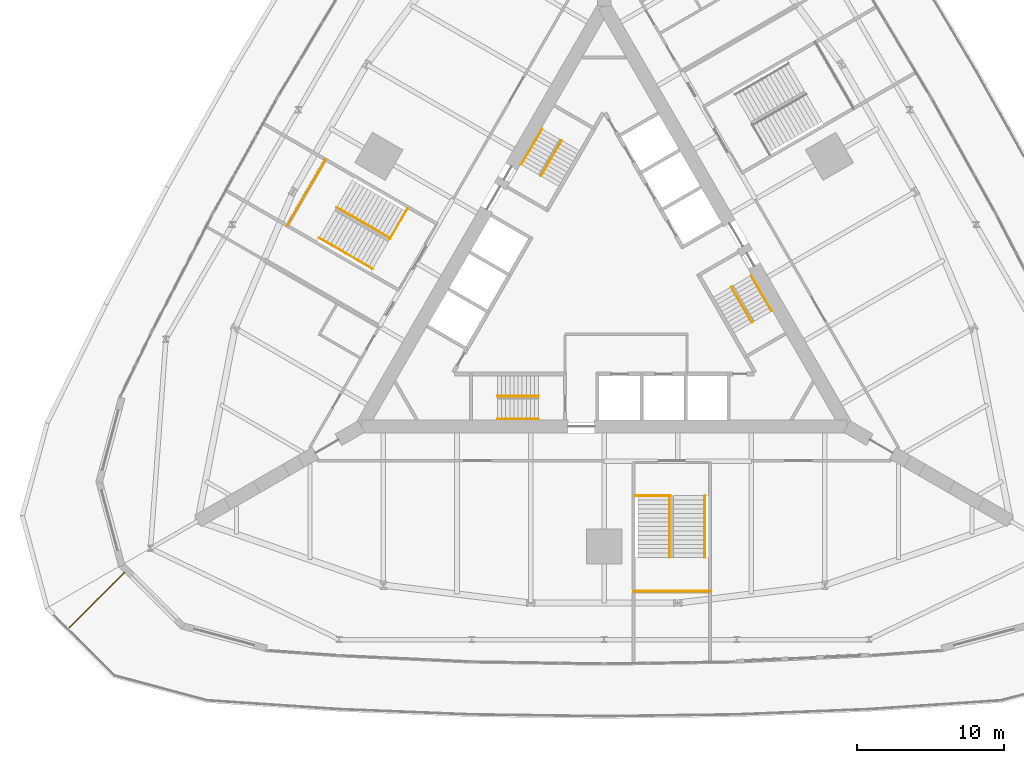
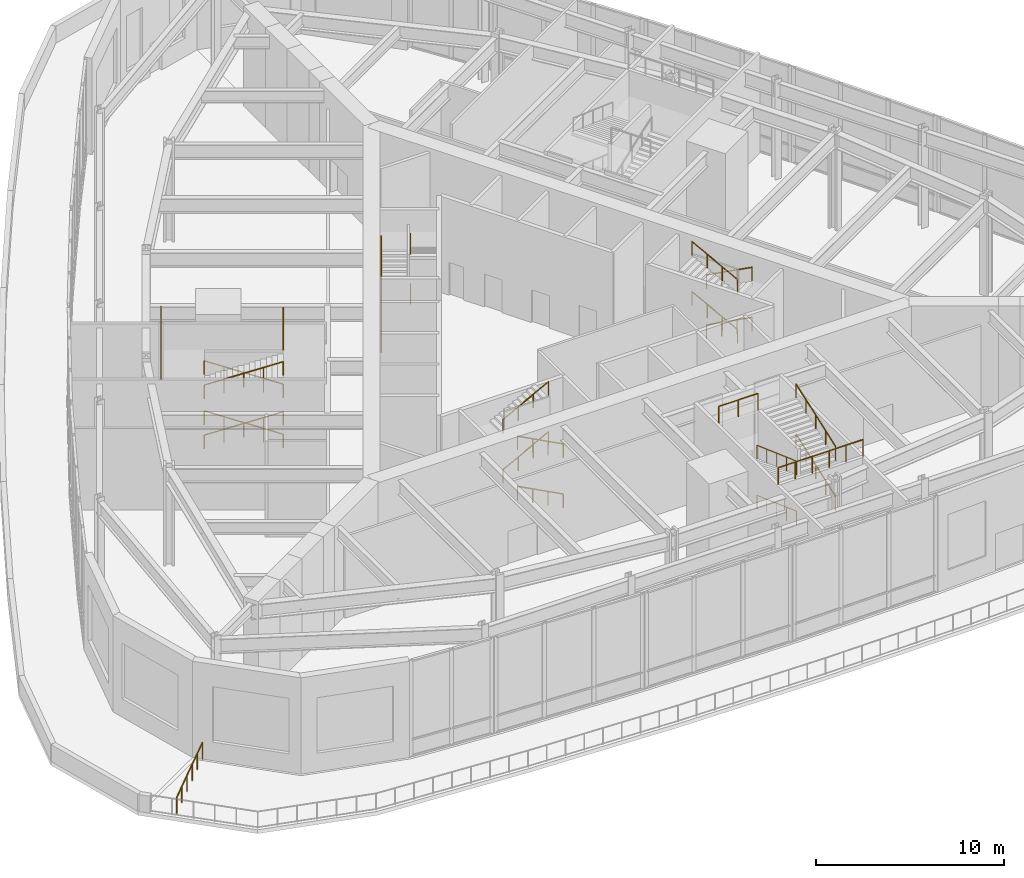
# One storey, part 17 of 19: 25 railings.
"""IFC4 building model written with IfcOpenShell, lengths in metres."""

from ifc_helpers import new_model, si_unit, direction, frame, origin, origin_2d, place, context, subcontext, project, spatial, circle, extrude, material, type_object, element, save


model = new_model("IFC4")

# Units and contexts
model_context = context("Model", 3, precision=1e-05, world=origin(), true_north=direction((0.0, 1.0)))
body_context = subcontext(model_context, "Body", "Model", "MODEL_VIEW")
ifc_project = project(units=[si_unit("LENGTHUNIT", "METRE"), si_unit("AREAUNIT", "SQUARE_METRE"), si_unit("VOLUMEUNIT", "CUBIC_METRE"), si_unit("PLANEANGLEUNIT", "RADIAN"), si_unit("MASSUNIT", "GRAM", prefix="KILO")], contexts=[model_context])

# Site, building, storey
site_placement = place(None, origin())
site = spatial("IfcSite", under=ifc_project, at=site_placement, CompositionType="ELEMENT")
building_placement = place(site_placement, origin())
building = spatial("IfcBuilding", under=site, at=building_placement, Name="Trikona Tower", CompositionType="ELEMENT")
storey_placement = place(building_placement, frame((0.0, 0.0, 11.0)))
storey = spatial("IfcBuildingStorey", under=building, at=storey_placement, Name="L02", CompositionType="ELEMENT", Elevation=11.0)

# Railings
ifc_material_1 = material(Name="Galvanised steel fence with welded mesh infill", Category="steel")
railing_type_1 = type_object("IfcRailingType", Name="Green roof fence 1100", PredefinedType="GUARDRAIL", material=ifc_material_1)
railing_1_placement = place(storey_placement, frame((-36.34521484375, -23.169921875, 0.0)))
element("IfcRailing", 1, at=railing_1_placement, inside=storey, type_object=railing_type_1, Name="Green roof fence L02-1a", PredefinedType="GUARDRAIL", context=body_context, shape_type="SweptSolid", body=[
    extrude(circle(Radius=0.02392578125, at=origin_2d()), frame((0.0, 0.0, 1.076171875), z_axis=(0.707106781187, 0.707106781187, 0.0), x_axis=(-0.707106781187, 0.707106781187, 0.0)), (0.0, 0.0, 1.0), 5.276611328125),
    extrude(circle(Radius=0.02099609375, at=origin_2d()), origin(), (0.0, 0.0, 1.0), 1.052001953125),
    extrude(circle(Radius=0.02099609375, at=origin_2d()), frame((0.746337890625, 0.746337890625, 0.0)), (0.0, 0.0, 1.0), 1.052001953125),
    extrude(circle(Radius=0.02099609375, at=origin_2d()), frame((1.492431640625, 1.492431640625, 0.0)), (0.0, 0.0, 1.0), 1.052001953125),
    extrude(circle(Radius=0.02099609375, at=origin_2d()), frame((2.23876953125, 2.23876953125, 0.0)), (0.0, 0.0, 1.0), 1.052001953125),
    extrude(circle(Radius=0.02099609375, at=origin_2d()), frame((2.98486328125, 2.98486328125, 0.0)), (0.0, 0.0, 1.0), 1.052001953125),
    extrude(circle(Radius=0.02099609375, at=origin_2d()), frame((3.731201171875, 3.731201171875, 0.0)), (0.0, 0.0, 1.0), 1.052001953125),
])
ifc_material_2 = material(Name="Stainless steel handrail", Category="steel")
railing_type_2 = type_object("IfcRailingType", Name="Stair handrail", PredefinedType="HANDRAIL", material=ifc_material_2)
railing_2_placement = place(storey_placement, frame((-4.449951171875, -9.016357421875, 0.147705078125)))
element("IfcRailing", 2, at=railing_2_placement, inside=storey, type_object=railing_type_2, Name="Stair handrail A L02 1", PredefinedType="HANDRAIL", context=body_context, shape_type="SweptSolid", body=[
    extrude(circle(Radius=0.02392578125, at=origin_2d()), frame((0.0, 0.0, 0.8759765625), z_axis=(-0.884451063323, 0.0, 0.466632957029), x_axis=(0.0, -1.0, 0.0)), (0.0, 0.0, 1.0), 3.165771484375),
    extrude(circle(Radius=0.02099609375, at=origin_2d()), origin(), (0.0, 0.0, 1.0), 0.851806640625),
    extrude(circle(Radius=0.02099609375, at=origin_2d()), frame((-0.933349609375, 0.0, 0.492431640625)), (0.0, 0.0, 1.0), 0.851806640625),
    extrude(circle(Radius=0.02099609375, at=origin_2d()), frame((-1.86669921875, 0.0, 0.98486328125)), (0.0, 0.0, 1.0), 0.851806640625),
    extrude(circle(Radius=0.02099609375, at=origin_2d()), frame((-2.800048828125, 0.0, 1.477294921875)), (0.0, 0.0, 1.0), 0.851806640625),
])
railing_3_placement = place(storey_placement, frame((-7.25, -7.46630859375, 1.772705078125)))
element("IfcRailing", 3, at=railing_3_placement, inside=storey, type_object=railing_type_2, Name="Stair handrail A L02 2", PredefinedType="HANDRAIL", context=body_context, shape_type="SweptSolid", body=[
    extrude(circle(Radius=0.02392578125, at=origin_2d()), frame((0.0, 0.0, 0.8759765625), z_axis=(0.884451063323, 0.0, 0.466632957029), x_axis=(0.0, 1.0, 0.0)), (0.0, 0.0, 1.0), 3.165771484375),
    extrude(circle(Radius=0.02099609375, at=origin_2d()), origin(), (0.0, 0.0, 1.0), 0.851806640625),
    extrude(circle(Radius=0.02099609375, at=origin_2d()), frame((0.933349609375, 0.0, 0.492431640625)), (0.0, 0.0, 1.0), 0.851806640625),
    extrude(circle(Radius=0.02099609375, at=origin_2d()), frame((1.86669921875, 0.0, 0.98486328125)), (0.0, 0.0, 1.0), 0.851806640625),
    extrude(circle(Radius=0.02099609375, at=origin_2d()), frame((2.800048828125, 0.0, 1.477294921875)), (0.0, 0.0, 1.0), 0.851806640625),
])
railing_4_placement = place(storey_placement, frame((-4.449951171875, -9.016357421875, 3.397705078125)))
element("IfcRailing", 4, at=railing_4_placement, inside=storey, type_object=railing_type_2, Name="Stair handrail A L02 3", PredefinedType="HANDRAIL", context=body_context, shape_type="SweptSolid", body=[
    extrude(circle(Radius=0.02392578125, at=origin_2d()), frame((0.0, 0.0, 0.8759765625), z_axis=(-0.884451063323, 0.0, 0.466632957029), x_axis=(0.0, -1.0, 0.0)), (0.0, 0.0, 1.0), 3.165771484375),
    extrude(circle(Radius=0.02099609375, at=origin_2d()), origin(), (0.0, 0.0, 1.0), 0.851806640625),
    extrude(circle(Radius=0.02099609375, at=origin_2d()), frame((-0.933349609375, 0.0, 0.492431640625)), (0.0, 0.0, 1.0), 0.851806640625),
    extrude(circle(Radius=0.02099609375, at=origin_2d()), frame((-1.86669921875, 0.0, 0.98486328125)), (0.0, 0.0, 1.0), 0.851806640625),
    extrude(circle(Radius=0.02099609375, at=origin_2d()), frame((-2.800048828125, 0.0, 1.477294921875)), (0.0, 0.0, 1.0), 0.851806640625),
])
railing_5_placement = place(storey_placement, frame((-7.25, -7.46630859375, 5.022705078125)))
element("IfcRailing", 5, at=railing_5_placement, inside=storey, type_object=railing_type_2, Name="Stair handrail A L02 4", PredefinedType="HANDRAIL", context=body_context, shape_type="SweptSolid", body=[
    extrude(circle(Radius=0.02392578125, at=origin_2d()), frame((0.0, 0.0, 0.8759765625), z_axis=(0.884451063323, 0.0, 0.466632957029), x_axis=(0.0, 1.0, 0.0)), (0.0, 0.0, 1.0), 3.165771484375),
    extrude(circle(Radius=0.02099609375, at=origin_2d()), origin(), (0.0, 0.0, 1.0), 0.851806640625),
    extrude(circle(Radius=0.02099609375, at=origin_2d()), frame((0.933349609375, 0.0, 0.492431640625)), (0.0, 0.0, 1.0), 0.851806640625),
    extrude(circle(Radius=0.02099609375, at=origin_2d()), frame((1.86669921875, 0.0, 0.98486328125)), (0.0, 0.0, 1.0), 0.851806640625),
    extrude(circle(Radius=0.02099609375, at=origin_2d()), frame((2.800048828125, 0.0, 1.477294921875)), (0.0, 0.0, 1.0), 0.851806640625),
])
railing_6_placement = place(storey_placement, frame((9.9833984375, 0.740966796875, 0.147705078125)))
element("IfcRailing", 6, at=railing_6_placement, inside=storey, type_object=railing_type_2, Name="Stair handrail B L02 1", PredefinedType="HANDRAIL", context=body_context, shape_type="SweptSolid", body=[
    extrude(circle(Radius=0.02392578125, at=origin_2d()), frame((0.0, 0.0, 0.8759765625), z_axis=(0.442180025884, -0.765987826492, 0.466625625501), x_axis=(0.866056369097, 0.49994636267, 0.0)), (0.0, 0.0, 1.0), 3.166015625),
    extrude(circle(Radius=0.02099609375, at=origin_2d()), origin(), (0.0, 0.0, 1.0), 0.851806640625),
    extrude(circle(Radius=0.02099609375, at=origin_2d()), frame((0.466552734375, -0.808349609375, 0.492431640625)), (0.0, 0.0, 1.0), 0.851806640625),
    extrude(circle(Radius=0.02099609375, at=origin_2d()), frame((0.933349609375, -1.61669921875, 0.98486328125)), (0.0, 0.0, 1.0), 0.851806640625),
    extrude(circle(Radius=0.02099609375, at=origin_2d()), frame((1.39990234375, -2.425048828125, 1.477294921875)), (0.0, 0.0, 1.0), 0.851806640625),
])
railing_7_placement = place(storey_placement, frame((10.041015625, -2.458984375, 1.772705078125)))
element("IfcRailing", 7, at=railing_7_placement, inside=storey, type_object=railing_type_2, Name="Stair handrail B L02 2", PredefinedType="HANDRAIL", context=body_context, shape_type="SweptSolid", body=[
    extrude(circle(Radius=0.02392578125, at=origin_2d()), frame((0.0, 0.0, 0.8759765625), z_axis=(-0.442180025884, 0.765987826492, 0.466625625501), x_axis=(-0.866056369097, -0.49994636267, 0.0)), (0.0, 0.0, 1.0), 3.166015625),
    extrude(circle(Radius=0.02099609375, at=origin_2d()), origin(), (0.0, 0.0, 1.0), 0.851806640625),
    extrude(circle(Radius=0.02099609375, at=origin_2d()), frame((-0.466552734375, 0.808349609375, 0.492431640625)), (0.0, 0.0, 1.0), 0.851806640625),
    extrude(circle(Radius=0.02099609375, at=origin_2d()), frame((-0.933349609375, 1.61669921875, 0.98486328125)), (0.0, 0.0, 1.0), 0.851806640625),
    extrude(circle(Radius=0.02099609375, at=origin_2d()), frame((-1.39990234375, 2.425048828125, 1.477294921875)), (0.0, 0.0, 1.0), 0.851806640625),
])
railing_8_placement = place(storey_placement, frame((9.9833984375, 0.740966796875, 3.397705078125)))
element("IfcRailing", 8, at=railing_8_placement, inside=storey, type_object=railing_type_2, Name="Stair handrail B L02 3", PredefinedType="HANDRAIL", context=body_context, shape_type="SweptSolid", body=[
    extrude(circle(Radius=0.02392578125, at=origin_2d()), frame((0.0, 0.0, 0.8759765625), z_axis=(0.442180025884, -0.765987826492, 0.466625625501), x_axis=(0.866056369097, 0.49994636267, 0.0)), (0.0, 0.0, 1.0), 3.166015625),
    extrude(circle(Radius=0.02099609375, at=origin_2d()), origin(), (0.0, 0.0, 1.0), 0.851806640625),
    extrude(circle(Radius=0.02099609375, at=origin_2d()), frame((0.466552734375, -0.808349609375, 0.492431640625)), (0.0, 0.0, 1.0), 0.851806640625),
    extrude(circle(Radius=0.02099609375, at=origin_2d()), frame((0.933349609375, -1.61669921875, 0.98486328125)), (0.0, 0.0, 1.0), 0.851806640625),
    extrude(circle(Radius=0.02099609375, at=origin_2d()), frame((1.39990234375, -2.425048828125, 1.477294921875)), (0.0, 0.0, 1.0), 0.851806640625),
])
railing_9_placement = place(storey_placement, frame((10.041015625, -2.458984375, 5.022705078125)))
element("IfcRailing", 9, at=railing_9_placement, inside=storey, type_object=railing_type_2, Name="Stair handrail B L02 4", PredefinedType="HANDRAIL", context=body_context, shape_type="SweptSolid", body=[
    extrude(circle(Radius=0.02392578125, at=origin_2d()), frame((0.0, 0.0, 0.8759765625), z_axis=(-0.442180025884, 0.765987826492, 0.466625625501), x_axis=(-0.866056369097, -0.49994636267, 0.0)), (0.0, 0.0, 1.0), 3.166015625),
    extrude(circle(Radius=0.02099609375, at=origin_2d()), origin(), (0.0, 0.0, 1.0), 0.851806640625),
    extrude(circle(Radius=0.02099609375, at=origin_2d()), frame((-0.466552734375, 0.808349609375, 0.492431640625)), (0.0, 0.0, 1.0), 0.851806640625),
    extrude(circle(Radius=0.02099609375, at=origin_2d()), frame((-0.933349609375, 1.61669921875, 0.98486328125)), (0.0, 0.0, 1.0), 0.851806640625),
    extrude(circle(Radius=0.02099609375, at=origin_2d()), frame((-1.39990234375, 2.425048828125, 1.477294921875)), (0.0, 0.0, 1.0), 0.851806640625),
])
railing_10_placement = place(storey_placement, frame((-5.63330078125, 8.275390625, 0.147705078125)))
element("IfcRailing", 10, at=railing_10_placement, inside=storey, type_object=railing_type_2, Name="Stair handrail C L02 1", PredefinedType="HANDRAIL", context=body_context, shape_type="SweptSolid", body=[
    extrude(circle(Radius=0.02392578125, at=origin_2d()), frame((0.0, 0.0, 0.8759765625), z_axis=(0.442206146237, 0.765955954731, 0.466653189899), x_axis=(-0.866034573852, 0.49998411664, 0.0)), (0.0, 0.0, 1.0), 3.165771484375),
    extrude(circle(Radius=0.02099609375, at=origin_2d()), origin(), (0.0, 0.0, 1.0), 0.851806640625),
    extrude(circle(Radius=0.02099609375, at=origin_2d()), frame((0.466552734375, 0.808349609375, 0.492431640625)), (0.0, 0.0, 1.0), 0.851806640625),
    extrude(circle(Radius=0.02099609375, at=origin_2d()), frame((0.933349609375, 1.616455078125, 0.98486328125)), (0.0, 0.0, 1.0), 0.851806640625),
    extrude(circle(Radius=0.02099609375, at=origin_2d()), frame((1.39990234375, 2.4248046875, 1.477294921875)), (0.0, 0.0, 1.0), 0.851806640625),
])
railing_11_placement = place(storey_placement, frame((-2.89111328125, 9.92529296875, 1.772705078125)))
element("IfcRailing", 11, at=railing_11_placement, inside=storey, type_object=railing_type_2, Name="Stair handrail C L02 2", PredefinedType="HANDRAIL", context=body_context, shape_type="SweptSolid", body=[
    extrude(circle(Radius=0.02392578125, at=origin_2d()), frame((0.0, 0.0, 0.8759765625), z_axis=(-0.442180025884, -0.765987826492, 0.466625625501), x_axis=(0.866056369097, -0.49994636267, 0.0)), (0.0, 0.0, 1.0), 3.166015625),
    extrude(circle(Radius=0.02099609375, at=origin_2d()), origin(), (0.0, 0.0, 1.0), 0.851806640625),
    extrude(circle(Radius=0.02099609375, at=origin_2d()), frame((-0.466552734375, -0.808349609375, 0.492431640625)), (0.0, 0.0, 1.0), 0.851806640625),
    extrude(circle(Radius=0.02099609375, at=origin_2d()), frame((-0.933349609375, -1.61669921875, 0.98486328125)), (0.0, 0.0, 1.0), 0.851806640625),
    extrude(circle(Radius=0.02099609375, at=origin_2d()), frame((-1.39990234375, -2.425048828125, 1.477294921875)), (0.0, 0.0, 1.0), 0.851806640625),
])
railing_12_placement = place(storey_placement, frame((-5.63330078125, 8.275390625, 3.397705078125)))
element("IfcRailing", 12, at=railing_12_placement, inside=storey, type_object=railing_type_2, Name="Stair handrail C L02 3", PredefinedType="HANDRAIL", context=body_context, shape_type="SweptSolid", body=[
    extrude(circle(Radius=0.02392578125, at=origin_2d()), frame((0.0, 0.0, 0.8759765625), z_axis=(0.442206146237, 0.765955954731, 0.466653189899), x_axis=(-0.866034573852, 0.49998411664, 0.0)), (0.0, 0.0, 1.0), 3.165771484375),
    extrude(circle(Radius=0.02099609375, at=origin_2d()), origin(), (0.0, 0.0, 1.0), 0.851806640625),
    extrude(circle(Radius=0.02099609375, at=origin_2d()), frame((0.466552734375, 0.808349609375, 0.492431640625)), (0.0, 0.0, 1.0), 0.851806640625),
    extrude(circle(Radius=0.02099609375, at=origin_2d()), frame((0.933349609375, 1.616455078125, 0.98486328125)), (0.0, 0.0, 1.0), 0.851806640625),
    extrude(circle(Radius=0.02099609375, at=origin_2d()), frame((1.39990234375, 2.4248046875, 1.477294921875)), (0.0, 0.0, 1.0), 0.851806640625),
])
railing_13_placement = place(storey_placement, frame((-2.89111328125, 9.92529296875, 5.022705078125)))
element("IfcRailing", 13, at=railing_13_placement, inside=storey, type_object=railing_type_2, Name="Stair handrail C L02 4", PredefinedType="HANDRAIL", context=body_context, shape_type="SweptSolid", body=[
    extrude(circle(Radius=0.02392578125, at=origin_2d()), frame((0.0, 0.0, 0.8759765625), z_axis=(-0.442180025884, -0.765987826492, 0.466625625501), x_axis=(0.866056369097, -0.49994636267, 0.0)), (0.0, 0.0, 1.0), 3.166015625),
    extrude(circle(Radius=0.02099609375, at=origin_2d()), origin(), (0.0, 0.0, 1.0), 0.851806640625),
    extrude(circle(Radius=0.02099609375, at=origin_2d()), frame((-0.466552734375, -0.808349609375, 0.492431640625)), (0.0, 0.0, 1.0), 0.851806640625),
    extrude(circle(Radius=0.02099609375, at=origin_2d()), frame((-0.933349609375, -1.61669921875, 0.98486328125)), (0.0, 0.0, 1.0), 0.851806640625),
    extrude(circle(Radius=0.02099609375, at=origin_2d()), frame((-1.39990234375, -2.425048828125, 1.477294921875)), (0.0, 0.0, 1.0), 0.851806640625),
])
railing_14_placement = place(storey_placement, frame((4.43994140625, -14.226318359375, 0.1083984375)))
element("IfcRailing", 14, at=railing_14_placement, inside=storey, type_object=railing_type_2, Name="Stair handrail PS1 L02 1", PredefinedType="HANDRAIL", context=body_context, shape_type="SweptSolid", body=[
    extrude(circle(Radius=0.02392578125, at=origin_2d()), frame((0.0, 0.0, 0.8759765625), z_axis=(0.0, -0.940557295779, 0.339635059081), x_axis=(1.0, 0.0, 0.0)), (0.0, 0.0, 1.0), 4.46533203125),
    extrude(circle(Radius=0.02099609375, at=origin_2d()), origin(), (0.0, 0.0, 1.0), 0.851806640625),
    extrude(circle(Radius=0.02099609375, at=origin_2d()), frame((0.0, -1.050048828125, 0.379150390625)), (0.0, 0.0, 1.0), 0.851806640625),
    extrude(circle(Radius=0.02099609375, at=origin_2d()), frame((0.0, -2.10009765625, 0.75830078125)), (0.0, 0.0, 1.0), 0.851806640625),
    extrude(circle(Radius=0.02099609375, at=origin_2d()), frame((0.0, -3.14990234375, 1.137451171875)), (0.0, 0.0, 1.0), 0.851806640625),
    extrude(circle(Radius=0.02099609375, at=origin_2d()), frame((0.0, -4.199951171875, 1.5166015625)), (0.0, 0.0, 1.0), 0.851806640625),
])
railing_15_placement = place(storey_placement, frame((6.840087890625, -18.42626953125, 1.7333984375)))
element("IfcRailing", 15, at=railing_15_placement, inside=storey, type_object=railing_type_2, Name="Stair handrail PS1 L02 2", PredefinedType="HANDRAIL", context=body_context, shape_type="SweptSolid", body=[
    extrude(circle(Radius=0.02392578125, at=origin_2d()), frame((0.0, 0.0, 0.8759765625), z_axis=(0.0, 0.940557295779, 0.339635059081), x_axis=(-1.0, 0.0, 0.0)), (0.0, 0.0, 1.0), 4.46533203125),
    extrude(circle(Radius=0.02099609375, at=origin_2d()), origin(), (0.0, 0.0, 1.0), 0.851806640625),
    extrude(circle(Radius=0.02099609375, at=origin_2d()), frame((0.0, 1.050048828125, 0.379150390625)), (0.0, 0.0, 1.0), 0.851806640625),
    extrude(circle(Radius=0.02099609375, at=origin_2d()), frame((0.0, 2.10009765625, 0.75830078125)), (0.0, 0.0, 1.0), 0.851806640625),
    extrude(circle(Radius=0.02099609375, at=origin_2d()), frame((0.0, 3.14990234375, 1.137451171875)), (0.0, 0.0, 1.0), 0.851806640625),
    extrude(circle(Radius=0.02099609375, at=origin_2d()), frame((0.0, 4.199951171875, 1.5166015625)), (0.0, 0.0, 1.0), 0.851806640625),
])
railing_16_placement = place(storey_placement, frame((4.43994140625, -14.226318359375, 3.3583984375)))
element("IfcRailing", 16, at=railing_16_placement, inside=storey, type_object=railing_type_2, Name="Stair handrail PS1 L02 3", PredefinedType="HANDRAIL", context=body_context, shape_type="SweptSolid", body=[
    extrude(circle(Radius=0.02392578125, at=origin_2d()), frame((0.0, 0.0, 0.8759765625), z_axis=(0.0, -0.940557295779, 0.339635059081), x_axis=(1.0, 0.0, 0.0)), (0.0, 0.0, 1.0), 4.46533203125),
    extrude(circle(Radius=0.02099609375, at=origin_2d()), origin(), (0.0, 0.0, 1.0), 0.851806640625),
    extrude(circle(Radius=0.02099609375, at=origin_2d()), frame((0.0, -1.050048828125, 0.379150390625)), (0.0, 0.0, 1.0), 0.851806640625),
    extrude(circle(Radius=0.02099609375, at=origin_2d()), frame((0.0, -2.10009765625, 0.75830078125)), (0.0, 0.0, 1.0), 0.851806640625),
    extrude(circle(Radius=0.02099609375, at=origin_2d()), frame((0.0, -3.14990234375, 1.137451171875)), (0.0, 0.0, 1.0), 0.851806640625),
    extrude(circle(Radius=0.02099609375, at=origin_2d()), frame((0.0, -4.199951171875, 1.5166015625)), (0.0, 0.0, 1.0), 0.851806640625),
])
railing_17_placement = place(storey_placement, frame((6.840087890625, -18.42626953125, 4.9833984375)))
element("IfcRailing", 17, at=railing_17_placement, inside=storey, type_object=railing_type_2, Name="Stair handrail PS1 L02 4", PredefinedType="HANDRAIL", context=body_context, shape_type="SweptSolid", body=[
    extrude(circle(Radius=0.02392578125, at=origin_2d()), frame((0.0, 0.0, 0.8759765625), z_axis=(0.0, 0.940557295779, 0.339635059081), x_axis=(-1.0, 0.0, 0.0)), (0.0, 0.0, 1.0), 4.46533203125),
    extrude(circle(Radius=0.02099609375, at=origin_2d()), origin(), (0.0, 0.0, 1.0), 0.851806640625),
    extrude(circle(Radius=0.02099609375, at=origin_2d()), frame((0.0, 1.050048828125, 0.379150390625)), (0.0, 0.0, 1.0), 0.851806640625),
    extrude(circle(Radius=0.02099609375, at=origin_2d()), frame((0.0, 2.10009765625, 0.75830078125)), (0.0, 0.0, 1.0), 0.851806640625),
    extrude(circle(Radius=0.02099609375, at=origin_2d()), frame((0.0, 3.14990234375, 1.137451171875)), (0.0, 0.0, 1.0), 0.851806640625),
    extrude(circle(Radius=0.02099609375, at=origin_2d()), frame((0.0, 4.199951171875, 1.5166015625)), (0.0, 0.0, 1.0), 0.851806640625),
])
railing_18_placement = place(storey_placement, frame((-14.540283203125, 3.26806640625, 0.1083984375)))
element("IfcRailing", 18, at=railing_18_placement, inside=storey, type_object=railing_type_2, Name="Stair handrail PS3 L02 1", PredefinedType="HANDRAIL", context=body_context, shape_type="SweptSolid", body=[
    extrude(circle(Radius=0.02392578125, at=origin_2d()), frame((0.0, 0.0, 0.8759765625), z_axis=(-0.814552659617, 0.470262278518, 0.339642980369), x_axis=(-0.49998411664, -0.866034573852, 0.0)), (0.0, 0.0, 1.0), 4.46533203125),
    extrude(circle(Radius=0.02099609375, at=origin_2d()), origin(), (0.0, 0.0, 1.0), 0.851806640625),
    extrude(circle(Radius=0.02099609375, at=origin_2d()), frame((-0.9091796875, 0.52490234375, 0.379150390625)), (0.0, 0.0, 1.0), 0.851806640625),
    extrude(circle(Radius=0.02099609375, at=origin_2d()), frame((-1.818603515625, 1.0498046875, 0.75830078125)), (0.0, 0.0, 1.0), 0.851806640625),
    extrude(circle(Radius=0.02099609375, at=origin_2d()), frame((-2.72802734375, 1.574951171875, 1.137451171875)), (0.0, 0.0, 1.0), 0.851806640625),
    extrude(circle(Radius=0.02099609375, at=origin_2d()), frame((-3.63720703125, 2.099853515625, 1.5166015625)), (0.0, 0.0, 1.0), 0.851806640625),
])
railing_19_placement = place(storey_placement, frame((-19.377685546875, 3.28955078125, 1.7333984375)))
element("IfcRailing", 19, at=railing_19_placement, inside=storey, type_object=railing_type_2, Name="Stair handrail PS3 L02 2", PredefinedType="HANDRAIL", context=body_context, shape_type="SweptSolid", body=[
    extrude(circle(Radius=0.02392578125, at=origin_2d()), frame((0.0, 0.0, 0.8759765625), z_axis=(0.814550114267, -0.470283917237, 0.339619122748), x_axis=(0.500002543286, 0.866023935413, 0.0)), (0.0, 0.0, 1.0), 4.465576171875),
    extrude(circle(Radius=0.02099609375, at=origin_2d()), origin(), (0.0, 0.0, 1.0), 0.851806640625),
    extrude(circle(Radius=0.02099609375, at=origin_2d()), frame((0.909423828125, -0.52490234375, 0.379150390625)), (0.0, 0.0, 1.0), 0.851806640625),
    extrude(circle(Radius=0.02099609375, at=origin_2d()), frame((1.81884765625, -1.050048828125, 0.75830078125)), (0.0, 0.0, 1.0), 0.851806640625),
    extrude(circle(Radius=0.02099609375, at=origin_2d()), frame((2.72802734375, -1.5751953125, 1.137451171875)), (0.0, 0.0, 1.0), 0.851806640625),
    extrude(circle(Radius=0.02099609375, at=origin_2d()), frame((3.637451171875, -2.10009765625, 1.5166015625)), (0.0, 0.0, 1.0), 0.851806640625),
])
railing_20_placement = place(storey_placement, frame((-14.540283203125, 3.26806640625, 3.3583984375)))
element("IfcRailing", 20, at=railing_20_placement, inside=storey, type_object=railing_type_2, Name="Stair handrail PS3 L02 3", PredefinedType="HANDRAIL", context=body_context, shape_type="SweptSolid", body=[
    extrude(circle(Radius=0.02392578125, at=origin_2d()), frame((0.0, 0.0, 0.8759765625), z_axis=(-0.814552659617, 0.470262278518, 0.339642980369), x_axis=(-0.49998411664, -0.866034573852, 0.0)), (0.0, 0.0, 1.0), 4.46533203125),
    extrude(circle(Radius=0.02099609375, at=origin_2d()), origin(), (0.0, 0.0, 1.0), 0.851806640625),
    extrude(circle(Radius=0.02099609375, at=origin_2d()), frame((-0.9091796875, 0.52490234375, 0.379150390625)), (0.0, 0.0, 1.0), 0.851806640625),
    extrude(circle(Radius=0.02099609375, at=origin_2d()), frame((-1.818603515625, 1.0498046875, 0.75830078125)), (0.0, 0.0, 1.0), 0.851806640625),
    extrude(circle(Radius=0.02099609375, at=origin_2d()), frame((-2.72802734375, 1.574951171875, 1.137451171875)), (0.0, 0.0, 1.0), 0.851806640625),
    extrude(circle(Radius=0.02099609375, at=origin_2d()), frame((-3.63720703125, 2.099853515625, 1.5166015625)), (0.0, 0.0, 1.0), 0.851806640625),
])
railing_21_placement = place(storey_placement, frame((-19.377685546875, 3.28955078125, 4.9833984375)))
element("IfcRailing", 21, at=railing_21_placement, inside=storey, type_object=railing_type_2, Name="Stair handrail PS3 L02 4", PredefinedType="HANDRAIL", context=body_context, shape_type="SweptSolid", body=[
    extrude(circle(Radius=0.02392578125, at=origin_2d()), frame((0.0, 0.0, 0.8759765625), z_axis=(0.814550114267, -0.470283917237, 0.339619122748), x_axis=(0.500002543286, 0.866023935413, 0.0)), (0.0, 0.0, 1.0), 4.465576171875),
    extrude(circle(Radius=0.02099609375, at=origin_2d()), origin(), (0.0, 0.0, 1.0), 0.851806640625),
    extrude(circle(Radius=0.02099609375, at=origin_2d()), frame((0.909423828125, -0.52490234375, 0.379150390625)), (0.0, 0.0, 1.0), 0.851806640625),
    extrude(circle(Radius=0.02099609375, at=origin_2d()), frame((1.81884765625, -1.050048828125, 0.75830078125)), (0.0, 0.0, 1.0), 0.851806640625),
    extrude(circle(Radius=0.02099609375, at=origin_2d()), frame((2.72802734375, -1.5751953125, 1.137451171875)), (0.0, 0.0, 1.0), 0.851806640625),
    extrude(circle(Radius=0.02099609375, at=origin_2d()), frame((3.637451171875, -2.10009765625, 1.5166015625)), (0.0, 0.0, 1.0), 0.851806640625),
])
ifc_material_3 = material(Name="Stainless steel guard with glass infill", Category="steel")
railing_type_3 = type_object("IfcRailingType", Name="Stair well guard 1100", PredefinedType="GUARDRAIL", material=ifc_material_3)
railing_22_placement = place(storey_placement, frame((2.10009765625, -14.226318359375, 6.5)))
element("IfcRailing", 22, at=railing_22_placement, inside=storey, type_object=railing_type_3, Name="Stair well guard PS1 L02", PredefinedType="GUARDRAIL", context=body_context, shape_type="SweptSolid", body=[
    extrude(circle(Radius=0.02392578125, at=origin_2d()), frame((0.0, 0.0, 1.076171875), z_axis=(1.0, 0.0, 0.0), x_axis=(0.0, 1.0, 0.0)), (0.0, 0.0, 1.0), 2.39990234375),
    extrude(circle(Radius=0.02099609375, at=origin_2d()), origin(), (0.0, 0.0, 1.0), 1.052001953125),
    extrude(circle(Radius=0.02099609375, at=origin_2d()), frame((1.199951171875, 0.0, 0.0)), (0.0, 0.0, 1.0), 1.052001953125),
    extrude(circle(Radius=0.02099609375, at=origin_2d()), frame((2.39990234375, 0.0, 0.0)), (0.0, 0.0, 1.0), 1.052001953125),
])
railing_23_placement = place(storey_placement, frame((2.0, -20.726318359375, 6.5)))
element("IfcRailing", 23, at=railing_23_placement, inside=storey, type_object=railing_type_3, Name="Stair well guard PS1 L02 far end", PredefinedType="GUARDRAIL", context=body_context, shape_type="SweptSolid", body=[
    extrude(circle(Radius=0.02392578125, at=origin_2d()), frame((0.0, 0.0, 1.076171875), z_axis=(1.0, 0.0, 0.0), x_axis=(0.0, 1.0, 0.0)), (0.0, 0.0, 1.0), 5.199951171875),
    extrude(circle(Radius=0.02099609375, at=origin_2d()), origin(), (0.0, 0.0, 1.0), 1.052001953125),
    extrude(circle(Radius=0.02099609375, at=origin_2d()), frame((1.0400390625, 0.0, 0.0)), (0.0, 0.0, 1.0), 1.052001953125),
    extrude(circle(Radius=0.02099609375, at=origin_2d()), frame((2.080078125, 0.0, 0.0)), (0.0, 0.0, 1.0), 1.052001953125),
    extrude(circle(Radius=0.02099609375, at=origin_2d()), frame((3.119873046875, 0.0, 0.0)), (0.0, 0.0, 1.0), 1.052001953125),
    extrude(circle(Radius=0.02099609375, at=origin_2d()), frame((4.159912109375, 0.0, 0.0)), (0.0, 0.0, 1.0), 1.052001953125),
    extrude(circle(Radius=0.02099609375, at=origin_2d()), frame((5.199951171875, 0.0, 0.0)), (0.0, 0.0, 1.0), 1.052001953125),
])
railing_24_placement = place(storey_placement, frame((-13.370361328125, 5.29443359375, 6.5)))
element("IfcRailing", 24, at=railing_24_placement, inside=storey, type_object=railing_type_3, Name="Stair well guard PS3 L02", PredefinedType="GUARDRAIL", context=body_context, shape_type="SweptSolid", body=[
    extrude(circle(Radius=0.02392578125, at=origin_2d()), frame((0.0, 0.0, 1.076171875), z_axis=(-0.500001309137, -0.866024647952, 0.0), x_axis=(0.866024647952, -0.500001309137, 0.0)), (0.0, 0.0, 1.0), 2.39990234375),
    extrude(circle(Radius=0.02099609375, at=origin_2d()), origin(), (0.0, 0.0, 1.0), 1.052001953125),
    extrude(circle(Radius=0.02099609375, at=origin_2d()), frame((-0.60009765625, -1.0390625, 0.0)), (0.0, 0.0, 1.0), 1.052001953125),
    extrude(circle(Radius=0.02099609375, at=origin_2d()), frame((-1.199951171875, -2.078369140625, 0.0)), (0.0, 0.0, 1.0), 1.052001953125),
])
railing_25_placement = place(storey_placement, frame((-18.949462890625, 8.631103515625, 6.5)))
element("IfcRailing", 25, at=railing_25_placement, inside=storey, type_object=railing_type_3, Name="Stair well guard PS3 L02 far end", PredefinedType="GUARDRAIL", context=body_context, shape_type="SweptSolid", body=[
    extrude(circle(Radius=0.02392578125, at=origin_2d()), frame((0.0, 0.0, 1.076171875), z_axis=(-0.500006934395, -0.866021400173, 0.0), x_axis=(0.866021400173, -0.500006934395, 0.0)), (0.0, 0.0, 1.0), 5.2001953125),
    extrude(circle(Radius=0.02099609375, at=origin_2d()), origin(), (0.0, 0.0, 1.0), 1.052001953125),
    extrude(circle(Radius=0.02099609375, at=origin_2d()), frame((-0.52001953125, -0.900634765625, 0.0)), (0.0, 0.0, 1.0), 1.052001953125),
    extrude(circle(Radius=0.02099609375, at=origin_2d()), frame((-1.0400390625, -1.80126953125, 0.0)), (0.0, 0.0, 1.0), 1.052001953125),
    extrude(circle(Radius=0.02099609375, at=origin_2d()), frame((-1.56005859375, -2.7021484375, 0.0)), (0.0, 0.0, 1.0), 1.052001953125),
    extrude(circle(Radius=0.02099609375, at=origin_2d()), frame((-2.080078125, -3.602783203125, 0.0)), (0.0, 0.0, 1.0), 1.052001953125),
    extrude(circle(Radius=0.02099609375, at=origin_2d()), frame((-2.60009765625, -4.50341796875, 0.0)), (0.0, 0.0, 1.0), 1.052001953125),
])

save(model, "model.ifc")
